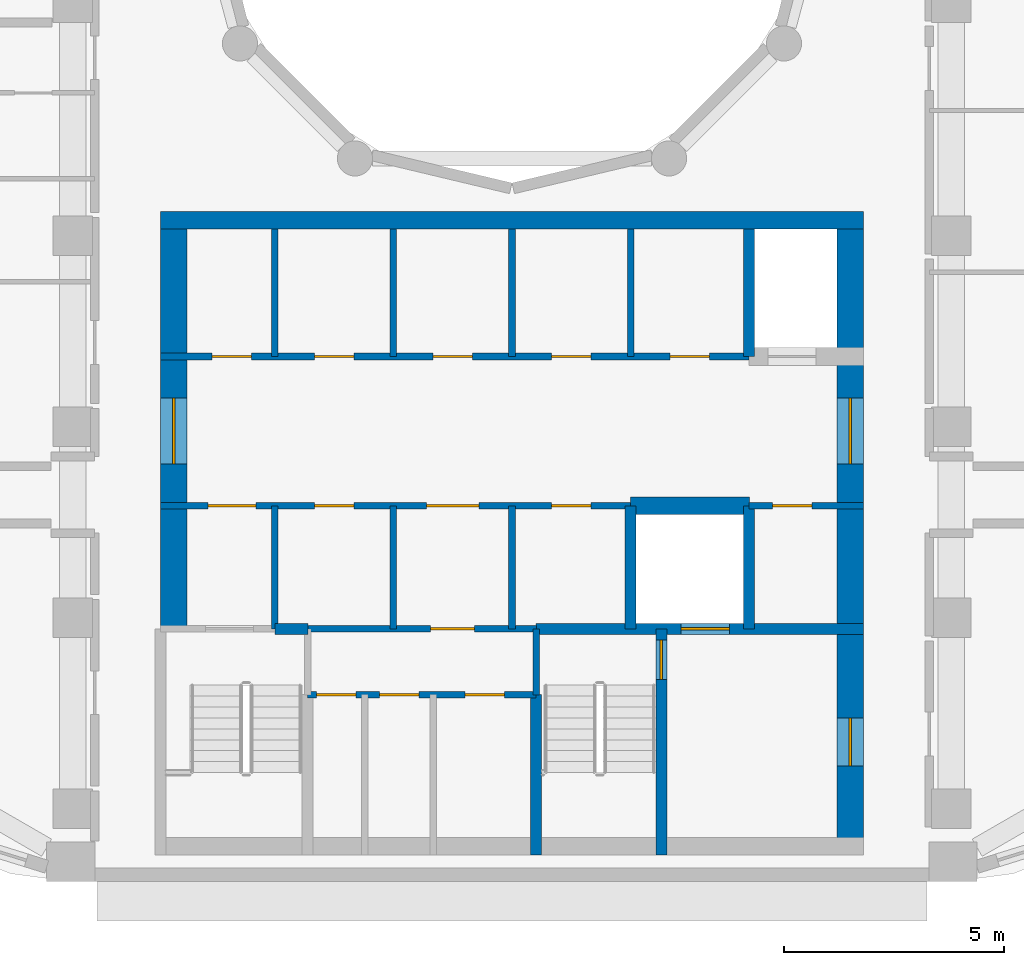
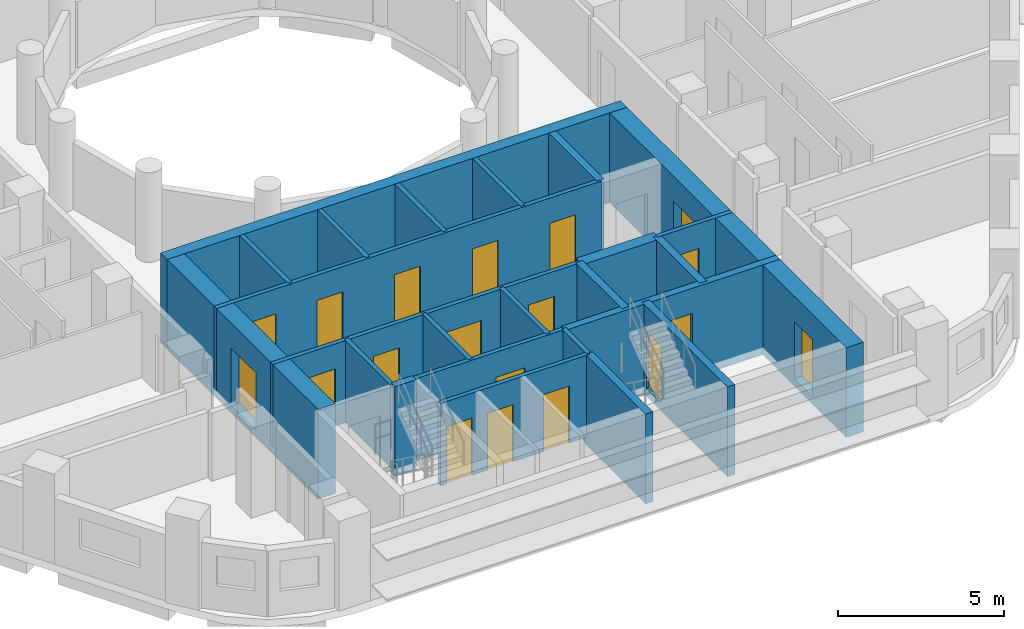
# One storey, part 3 of 13: 24 walls, 19 doors, 19 openings.
"""IFC4 building model written with IfcOpenShell, lengths in metres."""

from ifc_helpers import new_model, si_unit, direction, frame, frame_2d, origin, place, context, subcontext, project, spatial, rectangle, extrude, material, layer, layer_set, type_object, element, fill, save


model = new_model("IFC4")

# Units and contexts
model_context = context("Model", 3, precision=1e-05, world=origin(), true_north=direction((0.0, 1.0)))
body_context = subcontext(model_context, "Body", "Model", "MODEL_VIEW")
ifc_project = project(units=[si_unit("LENGTHUNIT", "METRE"), si_unit("AREAUNIT", "SQUARE_METRE"), si_unit("VOLUMEUNIT", "CUBIC_METRE"), si_unit("PLANEANGLEUNIT", "RADIAN"), si_unit("MASSUNIT", "GRAM", prefix="KILO")], contexts=[model_context])

# Site, building, storey
site_placement = place(None, origin())
site = spatial("IfcSite", under=ifc_project, at=site_placement, CompositionType="ELEMENT")
building_placement = place(site_placement, origin())
building = spatial("IfcBuilding", under=site, at=building_placement, Name="Nakaniwa Court", CompositionType="ELEMENT")
storey_placement = place(building_placement, frame((0.0, 0.0, 246.0)))
storey = spatial("IfcBuildingStorey", under=building, at=storey_placement, Name="L64", CompositionType="ELEMENT", Elevation=246.0)

# Walls
ifc_material_1 = material(Name="Blockwork partition", Category="masonry")
ifc_layer_1 = layer(ifc_material_1, 0.14990234375)
ifc_layer_set_1 = layer_set([ifc_layer_1], Name="Blockwork partition")
wall_type_1 = type_object("IfcWallType", Name="Blockwork partition 150", PredefinedType="PARTITIONING", material=ifc_layer_set_1)
wall_1_placement = place(storey_placement, frame((74.60009765625, 63.10009765625, 0.0), z_axis=(0.0, 0.0, 1.0), x_axis=(0.0, 1.0, 0.0)))
element("IfcWall", 1, at=wall_1_placement, inside=storey, type_object=wall_type_1, Name="Partition PW-031", PredefinedType="PARTITIONING", context=body_context, shape_type="SweptSolid", body=[
    extrude(rectangle(XDim=2.7998046875, YDim=0.14990234375, at=frame_2d((1.39990234375, 0.0))), origin(), (0.0, 0.0, 1.0), 3.02490234375),
])
wall_2_placement = place(storey_placement, frame((74.60009765625, 69.300048828125, 0.0), z_axis=(0.0, 0.0, 1.0), x_axis=(0.0, 1.0, 0.0)))
element("IfcWall", 2, at=wall_2_placement, inside=storey, type_object=wall_type_1, Name="Partition PW-032", PredefinedType="PARTITIONING", context=body_context, shape_type="SweptSolid", body=[
    extrude(rectangle(XDim=2.89990234375, YDim=0.14990234375, at=frame_2d((1.449951171875, 0.0))), origin(), (0.0, 0.0, 1.0), 3.02490234375),
])

# Wall, openings, doors
wall_3_placement = place(storey_placement, frame((72.0, 69.300048828125, 0.0), z_axis=(0.0, 0.0, 1.0), x_axis=(1.0, 0.0, 0.0)))
wall_3 = element("IfcWall", 3, at=wall_3_placement, inside=storey, type_object=wall_type_1, Name="Partition PW-033", PredefinedType="PARTITIONING", context=body_context, shape_type="SweptSolid", body=[
    extrude(rectangle(XDim=13.39990234375, YDim=0.14990234375, at=frame_2d((6.699951171875, 0.0))), origin(), (0.0, 0.0, 1.0), 3.02490234375),
])
opening_1_placement = place(wall_3_placement, frame((1.175048828125, 0.0, 0.0)))
opening_1 = element("IfcOpeningElement", 4, at=opening_1_placement, cuts=wall_3, Name="Opening D-05-12", PredefinedType="OPENING", context=body_context, shape_type="SweptSolid", body=[
    extrude(rectangle(XDim=0.89990234375, YDim=2.10009765625, at=frame_2d((0.449951171875, 1.050048828125))), frame((0.0, 0.0849609375, 0.0), z_axis=(0.0, -1.0, 0.0), x_axis=(1.0, 0.0, 0.0)), (0.0, 0.0, 1.0), 0.169921875),
])
opening_2_placement = place(wall_3_placement, frame((3.5, 0.0, 0.0)))
opening_2 = element("IfcOpeningElement", 5, at=opening_2_placement, cuts=wall_3, Name="Opening D-05-13", PredefinedType="OPENING", context=body_context, shape_type="SweptSolid", body=[
    extrude(rectangle(XDim=0.89990234375, YDim=2.10009765625, at=frame_2d((0.449951171875, 1.050048828125))), frame((0.0, 0.0849609375, 0.0), z_axis=(0.0, -1.0, 0.0), x_axis=(1.0, 0.0, 0.0)), (0.0, 0.0, 1.0), 0.169921875),
])
opening_3_placement = place(wall_3_placement, frame((6.199951171875, 0.0, 0.0)))
opening_3 = element("IfcOpeningElement", 6, at=opening_3_placement, cuts=wall_3, Name="Opening D-05-14", PredefinedType="OPENING", context=body_context, shape_type="SweptSolid", body=[
    extrude(rectangle(XDim=0.89990234375, YDim=2.10009765625, at=frame_2d((0.449951171875, 1.050048828125))), frame((0.0, 0.0849609375, 0.0), z_axis=(0.0, -1.0, 0.0), x_axis=(1.0, 0.0, 0.0)), (0.0, 0.0, 1.0), 0.169921875),
])
opening_4_placement = place(wall_3_placement, frame((8.89990234375, 0.0, 0.0)))
opening_4 = element("IfcOpeningElement", 7, at=opening_4_placement, cuts=wall_3, Name="Opening D-05-15", PredefinedType="OPENING", context=body_context, shape_type="SweptSolid", body=[
    extrude(rectangle(XDim=0.89990234375, YDim=2.10009765625, at=frame_2d((0.449951171875, 1.050048828125))), frame((0.0, 0.0849609375, 0.0), z_axis=(0.0, -1.0, 0.0), x_axis=(1.0, 0.0, 0.0)), (0.0, 0.0, 1.0), 0.169921875),
])
opening_5_placement = place(wall_3_placement, frame((11.60009765625, 0.0, 0.0)))
opening_5 = element("IfcOpeningElement", 8, at=opening_5_placement, cuts=wall_3, Name="Opening D-05-16", PredefinedType="OPENING", context=body_context, shape_type="SweptSolid", body=[
    extrude(rectangle(XDim=0.89990234375, YDim=2.10009765625, at=frame_2d((0.449951171875, 1.050048828125))), frame((0.0, 0.0849609375, 0.0), z_axis=(0.0, -1.0, 0.0), x_axis=(1.0, 0.0, 0.0)), (0.0, 0.0, 1.0), 0.169921875),
])
ifc_material_2 = material(Name="Fire rated steel door set", Category="steel")
door_type_1 = type_object("IfcDoorType", Name="Service room door 900", OperationType="NOTDEFINED", PredefinedType="DOOR", material=ifc_material_2)
door_1_placement = place(opening_1_placement, origin())
door_1 = element("IfcDoor", 9, at=door_1_placement, inside=storey, type_object=door_type_1, Name="Door D-05-12 L64-017", OperationType="SINGLE_SWING_RIGHT", OverallHeight=2.10009765625, OverallWidth=0.89990234375, PredefinedType="DOOR", context=body_context, shape_type="SweptSolid", body=[
    extrude(rectangle(XDim=0.89990234375, YDim=2.10009765625, at=frame_2d((0.449951171875, 1.050048828125))), frame((0.0, 0.02490234375, 0.0), z_axis=(0.0, -1.0, 0.0), x_axis=(1.0, 0.0, 0.0)), (0.0, 0.0, 1.0), 0.050048828125),
])
fill(opening_1, door_1)
door_2_placement = place(opening_2_placement, origin())
door_2 = element("IfcDoor", 10, at=door_2_placement, inside=storey, type_object=door_type_1, Name="Door D-05-13 L64-018", OperationType="SINGLE_SWING_LEFT", OverallHeight=2.10009765625, OverallWidth=0.89990234375, PredefinedType="DOOR", context=body_context, shape_type="SweptSolid", body=[
    extrude(rectangle(XDim=0.89990234375, YDim=2.10009765625, at=frame_2d((0.449951171875, 1.050048828125))), frame((0.0, 0.02490234375, 0.0), z_axis=(0.0, -1.0, 0.0), x_axis=(1.0, 0.0, 0.0)), (0.0, 0.0, 1.0), 0.050048828125),
])
fill(opening_2, door_2)
door_3_placement = place(opening_3_placement, origin())
door_3 = element("IfcDoor", 11, at=door_3_placement, inside=storey, type_object=door_type_1, Name="Door D-05-14 L64-019", OperationType="SINGLE_SWING_RIGHT", OverallHeight=2.10009765625, OverallWidth=0.89990234375, PredefinedType="DOOR", context=body_context, shape_type="SweptSolid", body=[
    extrude(rectangle(XDim=0.89990234375, YDim=2.10009765625, at=frame_2d((0.449951171875, 1.050048828125))), frame((0.0, 0.02490234375, 0.0), z_axis=(0.0, -1.0, 0.0), x_axis=(1.0, 0.0, 0.0)), (0.0, 0.0, 1.0), 0.050048828125),
])
fill(opening_3, door_3)
door_4_placement = place(opening_4_placement, origin())
door_4 = element("IfcDoor", 12, at=door_4_placement, inside=storey, type_object=door_type_1, Name="Door D-05-15 L64-020", OperationType="SINGLE_SWING_LEFT", OverallHeight=2.10009765625, OverallWidth=0.89990234375, PredefinedType="DOOR", context=body_context, shape_type="SweptSolid", body=[
    extrude(rectangle(XDim=0.89990234375, YDim=2.10009765625, at=frame_2d((0.449951171875, 1.050048828125))), frame((0.0, 0.02490234375, 0.0), z_axis=(0.0, -1.0, 0.0), x_axis=(1.0, 0.0, 0.0)), (0.0, 0.0, 1.0), 0.050048828125),
])
fill(opening_4, door_4)
door_5_placement = place(opening_5_placement, origin())
door_5 = element("IfcDoor", 13, at=door_5_placement, inside=storey, type_object=door_type_1, Name="Door D-05-16 L64-021", OperationType="SINGLE_SWING_RIGHT", OverallHeight=2.10009765625, OverallWidth=0.89990234375, PredefinedType="DOOR", context=body_context, shape_type="SweptSolid", body=[
    extrude(rectangle(XDim=0.89990234375, YDim=2.10009765625, at=frame_2d((0.449951171875, 1.050048828125))), frame((0.0, 0.02490234375, 0.0), z_axis=(0.0, -1.0, 0.0), x_axis=(1.0, 0.0, 0.0)), (0.0, 0.0, 1.0), 0.050048828125),
])
fill(opening_5, door_5)

# Walls
wall_4_placement = place(storey_placement, frame((77.300048828125, 63.10009765625, 0.0), z_axis=(0.0, 0.0, 1.0), x_axis=(0.0, 1.0, 0.0)))
element("IfcWall", 14, at=wall_4_placement, inside=storey, type_object=wall_type_1, Name="Partition PW-039", PredefinedType="PARTITIONING", context=body_context, shape_type="SweptSolid", body=[
    extrude(rectangle(XDim=2.7998046875, YDim=0.14990234375, at=frame_2d((1.39990234375, 0.0))), origin(), (0.0, 0.0, 1.0), 3.02490234375),
])
wall_5_placement = place(storey_placement, frame((77.300048828125, 69.300048828125, 0.0), z_axis=(0.0, 0.0, 1.0), x_axis=(0.0, 1.0, 0.0)))
element("IfcWall", 15, at=wall_5_placement, inside=storey, type_object=wall_type_1, Name="Partition PW-040", PredefinedType="PARTITIONING", context=body_context, shape_type="SweptSolid", body=[
    extrude(rectangle(XDim=2.89990234375, YDim=0.14990234375, at=frame_2d((1.449951171875, 0.0))), origin(), (0.0, 0.0, 1.0), 3.02490234375),
])
wall_6_placement = place(storey_placement, frame((80.0, 63.10009765625, 0.0), z_axis=(0.0, 0.0, 1.0), x_axis=(0.0, 1.0, 0.0)))
element("IfcWall", 16, at=wall_6_placement, inside=storey, type_object=wall_type_1, Name="Partition PW-041", PredefinedType="PARTITIONING", context=body_context, shape_type="SweptSolid", body=[
    extrude(rectangle(XDim=2.7998046875, YDim=0.14990234375, at=frame_2d((1.39990234375, 0.0))), origin(), (0.0, 0.0, 1.0), 3.02490234375),
])
for number, where, z_axis, x_axis, name in (
    (17, (80.0, 69.300048828125, 0.0), (0.0, 0.0, 1.0), (0.0, 1.0, 0.0), "Partition PW-042"),
    (18, (82.699951171875, 69.300048828125, 0.0), (0.0, 0.0, 1.0), (0.0, 1.0, 0.0), "Partition PW-043"),
):
    element("IfcWall", number, at=place(storey_placement, frame(where, z_axis=z_axis, x_axis=x_axis)), inside=storey, type_object=wall_type_1, Name=name, PredefinedType="PARTITIONING", context=body_context, shape_type="SweptSolid", body=[
        extrude(rectangle(XDim=2.89990234375, YDim=0.14990234375, at=frame_2d((1.449951171875, 0.0))), origin(), (0.0, 0.0, 1.0), 3.02490234375),
    ])

# Wall, openings, doors
wall_7_placement = place(storey_placement, frame((82.702880859375, 65.89990234375, 0.0), z_axis=(0.0, 0.0, 1.0), x_axis=(-1.0, 0.0, 0.0)))
wall_7 = element("IfcWall", 19, at=wall_7_placement, inside=storey, type_object=wall_type_1, Name="Partition PW-044", PredefinedType="PARTITIONING", context=body_context, shape_type="SweptSolid", body=[
    extrude(rectangle(XDim=10.702880859375, YDim=0.14990234375, at=frame_2d((5.3515625, 0.0))), origin(), (0.0, 0.0, 1.0), 3.02490234375),
])
opening_6_placement = place(wall_7_placement, frame((8.528076171875, 0.0, 0.0)))
opening_6 = element("IfcOpeningElement", 20, at=opening_6_placement, cuts=wall_7, Name="Opening D-08-02", PredefinedType="OPENING", context=body_context, shape_type="SweptSolid", body=[
    extrude(rectangle(XDim=1.10009765625, YDim=2.10009765625, at=frame_2d((0.550048828125, 1.050048828125))), frame((0.0, 0.0849609375, 0.0), z_axis=(0.0, -1.0, 0.0), x_axis=(1.0, 0.0, 0.0)), (0.0, 0.0, 1.0), 0.169921875),
])
opening_7_placement = place(wall_7_placement, frame((6.302978515625, 0.0, 0.0)))
opening_7 = element("IfcOpeningElement", 21, at=opening_7_placement, cuts=wall_7, Name="Opening D-05-17", PredefinedType="OPENING", context=body_context, shape_type="SweptSolid", body=[
    extrude(rectangle(XDim=0.89990234375, YDim=2.10009765625, at=frame_2d((0.449951171875, 1.050048828125))), frame((0.0, 0.0849609375, 0.0), z_axis=(0.0, -1.0, 0.0), x_axis=(1.0, 0.0, 0.0)), (0.0, 0.0, 1.0), 0.169921875),
])
opening_8_placement = place(wall_7_placement, frame((3.452880859375, 0.0, 0.0)))
opening_8 = element("IfcOpeningElement", 22, at=opening_8_placement, cuts=wall_7, Name="Opening D-06-02", PredefinedType="OPENING", context=body_context, shape_type="SweptSolid", body=[
    extrude(rectangle(XDim=1.199951171875, YDim=2.10009765625, at=frame_2d((0.60009765625, 1.050048828125))), frame((0.0, 0.0849609375, 0.0), z_axis=(0.0, -1.0, 0.0), x_axis=(1.0, 0.0, 0.0)), (0.0, 0.0, 1.0), 0.169921875),
])
opening_9_placement = place(wall_7_placement, frame((0.903076171875, 0.0, 0.0)))
opening_9 = element("IfcOpeningElement", 23, at=opening_9_placement, cuts=wall_7, Name="Opening D-05-18", PredefinedType="OPENING", context=body_context, shape_type="SweptSolid", body=[
    extrude(rectangle(XDim=0.89990234375, YDim=2.10009765625, at=frame_2d((0.449951171875, 1.050048828125))), frame((0.0, 0.0849609375, 0.0), z_axis=(0.0, -1.0, 0.0), x_axis=(1.0, 0.0, 0.0)), (0.0, 0.0, 1.0), 0.169921875),
])
ifc_material_3 = material(Name="Fire rated steel double door set", Category="steel")
door_type_2 = type_object("IfcDoorType", Name="Service passage double door 1200", OperationType="NOTDEFINED", PredefinedType="DOOR", material=ifc_material_3)
door_6_placement = place(opening_8_placement, origin())
door_6 = element("IfcDoor", 24, at=door_6_placement, inside=storey, type_object=door_type_2, Name="Door D-06-02 L64-024", OperationType="DOUBLE_DOOR_SINGLE_SWING", OverallHeight=2.10009765625, OverallWidth=1.199951171875, PredefinedType="DOOR", context=body_context, shape_type="SweptSolid", body=[
    extrude(rectangle(XDim=1.199951171875, YDim=2.10009765625, at=frame_2d((0.60009765625, 1.050048828125))), frame((0.0, 0.02490234375, 0.0), z_axis=(0.0, -1.0, 0.0), x_axis=(1.0, 0.0, 0.0)), (0.0, 0.0, 1.0), 0.050048828125),
])
fill(opening_8, door_6)
door_7_placement = place(opening_7_placement, origin())
door_7 = element("IfcDoor", 25, at=door_7_placement, inside=storey, type_object=door_type_1, Name="Door D-05-17 L64-023", OperationType="SINGLE_SWING_RIGHT", OverallHeight=2.10009765625, OverallWidth=0.89990234375, PredefinedType="DOOR", context=body_context, shape_type="SweptSolid", body=[
    extrude(rectangle(XDim=0.89990234375, YDim=2.10009765625, at=frame_2d((0.449951171875, 1.050048828125))), frame((0.0, 0.02490234375, 0.0), z_axis=(0.0, -1.0, 0.0), x_axis=(1.0, 0.0, 0.0)), (0.0, 0.0, 1.0), 0.050048828125),
])
fill(opening_7, door_7)
door_8_placement = place(opening_9_placement, origin())
door_8 = element("IfcDoor", 26, at=door_8_placement, inside=storey, type_object=door_type_1, Name="Door D-05-18 L64-025", OperationType="SINGLE_SWING_RIGHT", OverallHeight=2.10009765625, OverallWidth=0.89990234375, PredefinedType="DOOR", context=body_context, shape_type="SweptSolid", body=[
    extrude(rectangle(XDim=0.89990234375, YDim=2.10009765625, at=frame_2d((0.449951171875, 1.050048828125))), frame((0.0, 0.02490234375, 0.0), z_axis=(0.0, -1.0, 0.0), x_axis=(1.0, 0.0, 0.0)), (0.0, 0.0, 1.0), 0.050048828125),
])
fill(opening_9, door_8)
door_type_3 = type_object("IfcDoorType", Name="Stair lobby door 1100", OperationType="NOTDEFINED", PredefinedType="DOOR", material=ifc_material_2)
door_9_placement = place(opening_6_placement, origin())
door_9 = element("IfcDoor", 27, at=door_9_placement, inside=storey, type_object=door_type_3, Name="Door D-08-02 L64-022", OperationType="SINGLE_SWING_LEFT", OverallHeight=2.10009765625, OverallWidth=1.10009765625, PredefinedType="DOOR", context=body_context, shape_type="SweptSolid", body=[
    extrude(rectangle(XDim=1.10009765625, YDim=2.10009765625, at=frame_2d((0.550048828125, 1.050048828125))), frame((0.0, 0.02490234375, 0.0), z_axis=(0.0, -1.0, 0.0), x_axis=(1.0, 0.0, 0.0)), (0.0, 0.0, 1.0), 0.050048828125),
])
fill(opening_6, door_9)

# Wall, opening, door
wall_8_placement = place(storey_placement, frame((88.0, 65.89990234375, 0.0), z_axis=(0.0, 0.0, 1.0), x_axis=(-1.0, 0.0, 0.0)))
wall_8 = element("IfcWall", 28, at=wall_8_placement, inside=storey, type_object=wall_type_1, Name="Partition PW-045", PredefinedType="PARTITIONING", context=body_context, shape_type="SweptSolid", body=[
    extrude(rectangle(XDim=2.60302734375, YDim=0.14990234375, at=frame_2d((1.301513671875, 0.0))), origin(), (0.0, 0.0, 1.0), 3.02490234375),
])
opening_10_placement = place(wall_8_placement, frame((1.175048828125, 0.0, 0.0)))
opening_10 = element("IfcOpeningElement", 29, at=opening_10_placement, cuts=wall_8, Name="Opening D-05-19", PredefinedType="OPENING", context=body_context, shape_type="SweptSolid", body=[
    extrude(rectangle(XDim=0.89990234375, YDim=2.10009765625, at=frame_2d((0.449951171875, 1.050048828125))), frame((0.0, 0.0849609375, 0.0), z_axis=(0.0, -1.0, 0.0), x_axis=(1.0, 0.0, 0.0)), (0.0, 0.0, 1.0), 0.169921875),
])
door_10_placement = place(opening_10_placement, origin())
door_10 = element("IfcDoor", 30, at=door_10_placement, inside=storey, type_object=door_type_1, Name="Door D-05-19 L64-026", OperationType="SINGLE_SWING_LEFT", OverallHeight=2.10009765625, OverallWidth=0.89990234375, PredefinedType="DOOR", context=body_context, shape_type="SweptSolid", body=[
    extrude(rectangle(XDim=0.89990234375, YDim=2.10009765625, at=frame_2d((0.449951171875, 1.050048828125))), frame((0.0, 0.02490234375, 0.0), z_axis=(0.0, -1.0, 0.0), x_axis=(1.0, 0.0, 0.0)), (0.0, 0.0, 1.0), 0.050048828125),
])
fill(opening_10, door_10)

wall_9_placement = place(storey_placement, frame((80.552978515625, 63.10009765625, 0.0), z_axis=(0.0, 0.0, 1.0), x_axis=(-1.0, 0.0, 0.0)))
wall_9 = element("IfcWall", 31, at=wall_9_placement, inside=storey, type_object=wall_type_1, Name="Partition PW-050", PredefinedType="PARTITIONING", context=body_context, shape_type="SweptSolid", body=[
    extrude(rectangle(XDim=5.2060546875, YDim=0.14990234375, at=frame_2d((2.60302734375, 0.0))), origin(), (0.0, 0.0, 1.0), 3.02490234375),
])
opening_11_placement = place(wall_9_placement, frame((1.403076171875, 0.0, 0.0)))
opening_11 = element("IfcOpeningElement", 32, at=opening_11_placement, cuts=wall_9, Name="Opening D-23-02", PredefinedType="OPENING", context=body_context, shape_type="SweptSolid", body=[
    extrude(rectangle(XDim=1.0, YDim=2.10009765625, at=frame_2d((0.5, 1.050048828125))), frame((0.0, 0.0849609375, 0.0), z_axis=(0.0, -1.0, 0.0), x_axis=(1.0, 0.0, 0.0)), (0.0, 0.0, 1.0), 0.169921875),
])
door_type_4 = type_object("IfcDoorType", Name="Service room door 1000", OperationType="NOTDEFINED", PredefinedType="DOOR", material=ifc_material_2)
door_11_placement = place(opening_11_placement, origin())
door_11 = element("IfcDoor", 33, at=door_11_placement, inside=storey, type_object=door_type_4, Name="Door D-23-02 L64-027", OperationType="SINGLE_SWING_RIGHT", OverallHeight=2.10009765625, OverallWidth=1.0, PredefinedType="DOOR", context=body_context, shape_type="SweptSolid", body=[
    extrude(rectangle(XDim=1.0, YDim=2.10009765625, at=frame_2d((0.5, 1.050048828125))), frame((0.0, 0.02490234375, 0.0), z_axis=(0.0, -1.0, 0.0), x_axis=(1.0, 0.0, 0.0)), (0.0, 0.0, 1.0), 0.050048828125),
])
fill(opening_11, door_11)

# Wall, openings, doors
wall_10_placement = place(storey_placement, frame((80.550048828125, 61.60009765625, 0.0), z_axis=(0.0, 0.0, 1.0), x_axis=(-1.0, 0.0, 0.0)))
wall_10 = element("IfcWall", 34, at=wall_10_placement, inside=storey, type_object=wall_type_1, Name="Partition PW-058", PredefinedType="PARTITIONING", context=body_context, shape_type="SweptSolid", body=[
    extrude(rectangle(XDim=5.199951171875, YDim=0.14990234375, at=frame_2d((2.60009765625, 0.0))), origin(), (0.0, 0.0, 1.0), 3.02490234375),
])
opening_12_placement = place(wall_10_placement, frame((4.10009765625, 0.0, 0.0)))
opening_12 = element("IfcOpeningElement", 35, at=opening_12_placement, cuts=wall_10, Name="Opening D-05-20", PredefinedType="OPENING", context=body_context, shape_type="SweptSolid", body=[
    extrude(rectangle(XDim=0.89990234375, YDim=2.10009765625, at=frame_2d((0.449951171875, 1.050048828125))), frame((0.0, 0.0849609375, 0.0), z_axis=(0.0, -1.0, 0.0), x_axis=(1.0, 0.0, 0.0)), (0.0, 0.0, 1.0), 0.169921875),
])
opening_13_placement = place(wall_10_placement, frame((2.669921875, 0.0, 0.0)))
opening_13 = element("IfcOpeningElement", 36, at=opening_13_placement, cuts=wall_10, Name="Opening D-05-21", PredefinedType="OPENING", context=body_context, shape_type="SweptSolid", body=[
    extrude(rectangle(XDim=0.89990234375, YDim=2.10009765625, at=frame_2d((0.449951171875, 1.050048828125))), frame((0.0, 0.0849609375, 0.0), z_axis=(0.0, -1.0, 0.0), x_axis=(1.0, 0.0, 0.0)), (0.0, 0.0, 1.0), 0.169921875),
])
opening_14_placement = place(wall_10_placement, frame((0.719970703125, 0.0, 0.0)))
opening_14 = element("IfcOpeningElement", 37, at=opening_14_placement, cuts=wall_10, Name="Opening D-05-22", PredefinedType="OPENING", context=body_context, shape_type="SweptSolid", body=[
    extrude(rectangle(XDim=0.89990234375, YDim=2.10009765625, at=frame_2d((0.449951171875, 1.050048828125))), frame((0.0, 0.0849609375, 0.0), z_axis=(0.0, -1.0, 0.0), x_axis=(1.0, 0.0, 0.0)), (0.0, 0.0, 1.0), 0.169921875),
])
door_12_placement = place(opening_12_placement, origin())
door_12 = element("IfcDoor", 38, at=door_12_placement, inside=storey, type_object=door_type_1, Name="Door D-05-20 L64-028", OperationType="SINGLE_SWING_LEFT", OverallHeight=2.10009765625, OverallWidth=0.89990234375, PredefinedType="DOOR", context=body_context, shape_type="SweptSolid", body=[
    extrude(rectangle(XDim=0.89990234375, YDim=2.10009765625, at=frame_2d((0.449951171875, 1.050048828125))), frame((0.0, 0.02490234375, 0.0), z_axis=(0.0, -1.0, 0.0), x_axis=(1.0, 0.0, 0.0)), (0.0, 0.0, 1.0), 0.050048828125),
])
fill(opening_12, door_12)
door_13_placement = place(opening_13_placement, origin())
door_13 = element("IfcDoor", 39, at=door_13_placement, inside=storey, type_object=door_type_1, Name="Door D-05-21 L64-029", OperationType="SINGLE_SWING_RIGHT", OverallHeight=2.10009765625, OverallWidth=0.89990234375, PredefinedType="DOOR", context=body_context, shape_type="SweptSolid", body=[
    extrude(rectangle(XDim=0.89990234375, YDim=2.10009765625, at=frame_2d((0.449951171875, 1.050048828125))), frame((0.0, 0.02490234375, 0.0), z_axis=(0.0, -1.0, 0.0), x_axis=(1.0, 0.0, 0.0)), (0.0, 0.0, 1.0), 0.050048828125),
])
fill(opening_13, door_13)
door_14_placement = place(opening_14_placement, origin())
door_14 = element("IfcDoor", 40, at=door_14_placement, inside=storey, type_object=door_type_1, Name="Door D-05-22 L64-030", OperationType="SINGLE_SWING_LEFT", OverallHeight=2.10009765625, OverallWidth=0.89990234375, PredefinedType="DOOR", context=body_context, shape_type="SweptSolid", body=[
    extrude(rectangle(XDim=0.89990234375, YDim=2.10009765625, at=frame_2d((0.449951171875, 1.050048828125))), frame((0.0, 0.02490234375, 0.0), z_axis=(0.0, -1.0, 0.0), x_axis=(1.0, 0.0, 0.0)), (0.0, 0.0, 1.0), 0.050048828125),
])
fill(opening_14, door_14)

# Wall, opening, door
ifc_material_4 = material(Name="Concrete C80/100", Category="concrete")
ifc_layer_2 = layer(ifc_material_4, 0.60009765625)
ifc_layer_set_2 = layer_set([ifc_layer_2], Name="Concrete C80/100")
wall_type_2 = type_object("IfcWallType", Name="Concrete core side wall 600 C80", PredefinedType="SHEAR", material=ifc_layer_set_2)
wall_11_placement = place(storey_placement, frame((72.300048828125, 63.10009765625, -0.27490234375), z_axis=(0.0, 0.0, 1.0), x_axis=(0.0, 1.0, 0.0)))
wall_11 = element("IfcWall", 41, at=wall_11_placement, inside=storey, type_object=wall_type_2, Name="Core wall SW-34", PredefinedType="SHEAR", context=body_context, shape_type="SweptSolid", body=[
    extrude(rectangle(XDim=9.099853515625, YDim=0.60009765625, at=frame_2d((4.5498046875, 0.0))), origin(), (0.0, 0.0, 1.0), 3.2998046875),
])
opening_15_placement = place(wall_11_placement, frame((3.75, 0.0, 0.27490234375)))
opening_15 = element("IfcOpeningElement", 42, at=opening_15_placement, cuts=wall_11, Name="Opening D-07-04", PredefinedType="OPENING", context=body_context, shape_type="SweptSolid", body=[
    extrude(rectangle(XDim=1.5, YDim=2.10009765625, at=frame_2d((0.75, 1.050048828125))), frame((0.0, 0.31005859375, 0.0), z_axis=(0.0, -1.0, 0.0), x_axis=(1.0, 0.0, 0.0)), (0.0, 0.0, 1.0), 0.6201171875),
])
ifc_material_5 = material(Name="Glazed fire rated steel double door set", Category="steel")
door_type_5 = type_object("IfcDoorType", Name="Lobby double door 1500", OperationType="NOTDEFINED", PredefinedType="DOOR", material=ifc_material_5)
door_15_placement = place(opening_15_placement, origin())
door_15 = element("IfcDoor", 43, at=door_15_placement, inside=storey, type_object=door_type_5, Name="Door D-07-04 L64-067", OperationType="DOUBLE_DOOR_SINGLE_SWING", OverallHeight=2.10009765625, OverallWidth=1.5, PredefinedType="DOOR", context=body_context, shape_type="SweptSolid", body=[
    extrude(rectangle(XDim=1.5, YDim=2.10009765625, at=frame_2d((0.75, 1.050048828125))), frame((0.0, 0.02490234375, 0.0), z_axis=(0.0, -1.0, 0.0), x_axis=(1.0, 0.0, 0.0)), (0.0, 0.0, 1.0), 0.050048828125),
])
fill(opening_15, door_15)

# Wall, openings, doors
wall_12_placement = place(storey_placement, frame((87.699951171875, 72.199951171875, -0.27490234375), z_axis=(0.0, 0.0, 1.0), x_axis=(0.0, -1.0, 0.0)))
wall_12 = element("IfcWall", 44, at=wall_12_placement, inside=storey, type_object=wall_type_2, Name="Core wall SW-38", PredefinedType="SHEAR", context=body_context, shape_type="SweptSolid", body=[
    extrude(rectangle(XDim=14.25, YDim=0.60009765625, at=frame_2d((7.125, 0.0))), origin(), (0.0, 0.0, 1.0), 3.2998046875),
])
opening_16_placement = place(wall_12_placement, frame((3.85009765625, 0.0, 0.27490234375)))
opening_16 = element("IfcOpeningElement", 45, at=opening_16_placement, cuts=wall_12, Name="Opening D-07-03", PredefinedType="OPENING", context=body_context, shape_type="SweptSolid", body=[
    extrude(rectangle(XDim=1.5, YDim=2.10009765625, at=frame_2d((0.75, 1.050048828125))), frame((0.0, 0.31005859375, 0.0), z_axis=(0.0, -1.0, 0.0), x_axis=(1.0, 0.0, 0.0)), (0.0, 0.0, 1.0), 0.6201171875),
])
opening_17_placement = place(wall_12_placement, frame((11.125, 0.0, 0.27490234375)))
opening_17 = element("IfcOpeningElement", 46, at=opening_17_placement, cuts=wall_12, Name="Opening D-10-02", PredefinedType="OPENING", context=body_context, shape_type="SweptSolid", body=[
    extrude(rectangle(XDim=1.10009765625, YDim=2.10009765625, at=frame_2d((0.550048828125, 1.050048828125))), frame((0.0, 0.31005859375, 0.0), z_axis=(0.0, -1.0, 0.0), x_axis=(1.0, 0.0, 0.0)), (0.0, 0.0, 1.0), 0.6201171875),
])
door_type_6 = type_object("IfcDoorType", Name="Firefighting lobby door 1100", OperationType="NOTDEFINED", PredefinedType="DOOR", material=ifc_material_2)
door_16_placement = place(opening_17_placement, origin())
door_16 = element("IfcDoor", 47, at=door_16_placement, inside=storey, type_object=door_type_6, Name="Door D-10-02 L64-068", OperationType="SINGLE_SWING_LEFT", OverallHeight=2.10009765625, OverallWidth=1.10009765625, PredefinedType="DOOR", context=body_context, shape_type="SweptSolid", body=[
    extrude(rectangle(XDim=1.10009765625, YDim=2.10009765625, at=frame_2d((0.550048828125, 1.050048828125))), frame((0.0, 0.02490234375, 0.0), z_axis=(0.0, -1.0, 0.0), x_axis=(1.0, 0.0, 0.0)), (0.0, 0.0, 1.0), 0.050048828125),
])
fill(opening_17, door_16)
door_17_placement = place(opening_16_placement, origin())
door_17 = element("IfcDoor", 48, at=door_17_placement, inside=storey, type_object=door_type_5, Name="Door D-07-03 L64-066", OperationType="DOUBLE_DOOR_SINGLE_SWING", OverallHeight=2.10009765625, OverallWidth=1.5, PredefinedType="DOOR", context=body_context, shape_type="SweptSolid", body=[
    extrude(rectangle(XDim=1.5, YDim=2.10009765625, at=frame_2d((0.75, 1.050048828125))), frame((0.0, 0.02490234375, 0.0), z_axis=(0.0, -1.0, 0.0), x_axis=(1.0, 0.0, 0.0)), (0.0, 0.0, 1.0), 0.050048828125),
])
fill(opening_16, door_17)

# Walls
ifc_layer_3 = layer(ifc_material_4, 0.39990234375)
ifc_layer_set_3 = layer_set([ifc_layer_3], Name="Concrete C80/100")
wall_type_3 = type_object("IfcWallType", Name="Concrete core spine wall 400 C80", PredefinedType="SHEAR", material=ifc_layer_set_3)
wall_13_placement = place(storey_placement, frame((82.697021484375, 65.89990234375, -0.27490234375), z_axis=(0.0, 0.0, 1.0), x_axis=(1.0, 0.0, 0.0)))
element("IfcWall", 49, at=wall_13_placement, inside=storey, type_object=wall_type_3, Name="Core wall SW-46", PredefinedType="SHEAR", context=body_context, shape_type="SweptSolid", body=[
    extrude(rectangle(XDim=2.7060546875, YDim=0.39990234375, at=frame_2d((1.35302734375, 0.0))), origin(), (0.0, 0.0, 1.0), 3.2998046875),
])
ifc_layer_4 = layer(ifc_material_4, 0.14990234375)
ifc_layer_set_4 = layer_set([ifc_layer_4], Name="Concrete C80/100")
wall_type_4 = type_object("IfcWallType", Name="Concrete core wall 150 C80", PredefinedType="SHEAR", material=ifc_layer_set_4)
wall_14_placement = place(storey_placement, frame((80.550048828125, 61.596923828125, -0.27490234375), z_axis=(0.0, 0.0, 1.0), x_axis=(0.0, 1.0, 0.0)))
element("IfcWall", 50, at=wall_14_placement, inside=storey, type_object=wall_type_4, Name="Core wall SW-56", PredefinedType="SHEAR", context=body_context, shape_type="SweptSolid", body=[
    extrude(rectangle(XDim=1.503173828125, YDim=0.14990234375, at=frame_2d((0.75146484375, 0.0))), origin(), (0.0, 0.0, 1.0), 3.2998046875),
])
ifc_layer_5 = layer(ifc_material_4, 0.39990234375)
ifc_layer_set_5 = layer_set([ifc_layer_5], Name="Concrete C80/100")
wall_type_5 = type_object("IfcWallType", Name="Concrete core well wall 400 C80", PredefinedType="SHEAR", material=ifc_layer_set_5)
wall_15_placement = place(storey_placement, frame((72.00390625, 72.39990234375, -0.27490234375), z_axis=(0.0, 0.0, 1.0), x_axis=(1.0, 0.0, 0.0)))
element("IfcWall", 51, at=wall_15_placement, inside=storey, type_object=wall_type_5, Name="Core wall SW-132", PredefinedType="SHEAR", context=body_context, shape_type="SweptSolid", body=[
    extrude(rectangle(XDim=15.9921875, YDim=0.39990234375, at=frame_2d((7.99609375, 0.0))), origin(), (0.0, 0.0, 1.0), 3.2998046875),
])
ifc_layer_6 = layer(ifc_material_4, 0.25)
ifc_layer_set_6 = layer_set([ifc_layer_6], Name="Concrete C80/100")
wall_type_6 = type_object("IfcWallType", Name="Concrete shaft wall 250 C80", PredefinedType="SHEAR", material=ifc_layer_set_6)
wall_16_placement = place(storey_placement, frame((85.39990234375, 63.10009765625, -0.27490234375), z_axis=(0.0, 0.0, 1.0), x_axis=(0.0, 1.0, 0.0)))
element("IfcWall", 52, at=wall_16_placement, inside=storey, type_object=wall_type_6, Name="Core wall SW-35", PredefinedType="SHEAR", context=body_context, shape_type="SweptSolid", body=[
    extrude(rectangle(XDim=2.7998046875, YDim=0.25, at=frame_2d((1.39990234375, 0.0))), origin(), (0.0, 0.0, 1.0), 3.2998046875),
])
wall_17_placement = place(storey_placement, frame((85.39990234375, 69.300048828125, -0.27490234375), z_axis=(0.0, 0.0, 1.0), x_axis=(0.0, 1.0, 0.0)))
element("IfcWall", 53, at=wall_17_placement, inside=storey, type_object=wall_type_6, Name="Core wall SW-36", PredefinedType="SHEAR", context=body_context, shape_type="SweptSolid", body=[
    extrude(rectangle(XDim=2.89990234375, YDim=0.25, at=frame_2d((1.449951171875, 0.0))), origin(), (0.0, 0.0, 1.0), 3.2998046875),
])
wall_18_placement = place(storey_placement, frame((74.60009765625, 63.10009765625, -0.27490234375), z_axis=(0.0, 0.0, 1.0), x_axis=(1.0, 0.0, 0.0)))
element("IfcWall", 54, at=wall_18_placement, inside=storey, type_object=wall_type_6, Name="Core wall SW-48", PredefinedType="SHEAR", context=body_context, shape_type="SweptSolid", body=[
    extrude(rectangle(XDim=0.7529296875, YDim=0.25, at=frame_2d((0.37646484375, 0.0))), origin(), (0.0, 0.0, 1.0), 3.2998046875),
])

# Wall, opening, door
wall_19_placement = place(storey_placement, frame((80.547119140625, 63.10009765625, -0.27490234375), z_axis=(0.0, 0.0, 1.0), x_axis=(1.0, 0.0, 0.0)))
wall_19 = element("IfcWall", 55, at=wall_19_placement, inside=storey, type_object=wall_type_6, Name="Core wall SW-49", PredefinedType="SHEAR", context=body_context, shape_type="SweptSolid", body=[
    extrude(rectangle(XDim=7.452880859375, YDim=0.25, at=frame_2d((3.7265625, 0.0))), origin(), (0.0, 0.0, 1.0), 3.2998046875),
])
opening_18_placement = place(wall_19_placement, frame((3.302001953125, 0.0, 0.27490234375)))
opening_18 = element("IfcOpeningElement", 56, at=opening_18_placement, cuts=wall_19, Name="Opening LD04", PredefinedType="OPENING", context=body_context, shape_type="SweptSolid", body=[
    extrude(rectangle(XDim=1.10009765625, YDim=2.10009765625, at=frame_2d((0.550048828125, 1.050048828125))), frame((0.0, 0.135009765625, 0.0), z_axis=(0.0, -1.0, 0.0), x_axis=(1.0, 0.0, 0.0)), (0.0, 0.0, 1.0), 0.27001953125),
])
ifc_material_6 = material(Name="Stainless steel sliding lift landing door", Category="steel")
door_type_7 = type_object("IfcDoorType", Name="Lift landing door 1100", OperationType="NOTDEFINED", PredefinedType="DOOR", material=ifc_material_6)
door_18_placement = place(opening_18_placement, origin())
door_18 = element("IfcDoor", 57, at=door_18_placement, inside=storey, type_object=door_type_7, Name="Lift landing door LD04 L64-004", OperationType="SLIDING_TO_LEFT", OverallHeight=2.10009765625, OverallWidth=1.10009765625, PredefinedType="DOOR", context=body_context, shape_type="SweptSolid", body=[
    extrude(rectangle(XDim=1.10009765625, YDim=2.10009765625, at=frame_2d((0.550048828125, 1.050048828125))), frame((0.0, 0.02490234375, 0.0), z_axis=(0.0, -1.0, 0.0), x_axis=(1.0, 0.0, 0.0)), (0.0, 0.0, 1.0), 0.050048828125),
])
fill(opening_18, door_18)

# Wall
wall_20_placement = place(storey_placement, frame((82.699951171875, 63.10009765625, -0.27490234375), z_axis=(0.0, 0.0, 1.0), x_axis=(0.0, 1.0, 0.0)))
element("IfcWall", 58, at=wall_20_placement, inside=storey, type_object=wall_type_6, Name="Core wall SW-51", PredefinedType="SHEAR", context=body_context, shape_type="SweptSolid", body=[
    extrude(rectangle(XDim=2.7998046875, YDim=0.25, at=frame_2d((1.39990234375, 0.0))), origin(), (0.0, 0.0, 1.0), 3.2998046875),
])

# Wall, opening, door
wall_21_placement = place(storey_placement, frame((83.39990234375, 63.10009765625, -0.27490234375), z_axis=(0.0, 0.0, 1.0), x_axis=(0.0, -1.0, 0.0)))
wall_21 = element("IfcWall", 59, at=wall_21_placement, inside=storey, type_object=wall_type_6, Name="Core wall SW-55", PredefinedType="SHEAR", context=body_context, shape_type="SweptSolid", body=[
    extrude(rectangle(XDim=5.150146484375, YDim=0.25, at=frame_2d((2.5751953125, 0.0))), origin(), (0.0, 0.0, 1.0), 3.2998046875),
])
opening_19_placement = place(wall_21_placement, frame((0.25, 0.0, 0.27490234375)))
opening_19 = element("IfcOpeningElement", 60, at=opening_19_placement, cuts=wall_21, Name="Opening D-11-02", PredefinedType="OPENING", context=body_context, shape_type="SweptSolid", body=[
    extrude(rectangle(XDim=0.89990234375, YDim=2.10009765625, at=frame_2d((0.449951171875, 1.050048828125))), frame((0.0, 0.135009765625, 0.0), z_axis=(0.0, -1.0, 0.0), x_axis=(1.0, 0.0, 0.0)), (0.0, 0.0, 1.0), 0.27001953125),
])
door_type_8 = type_object("IfcDoorType", Name="Stair door 900", OperationType="NOTDEFINED", PredefinedType="DOOR", material=ifc_material_2)
door_19_placement = place(opening_19_placement, origin())
door_19 = element("IfcDoor", 61, at=door_19_placement, inside=storey, type_object=door_type_8, Name="Door D-11-02 L64-032", OperationType="SINGLE_SWING_RIGHT", OverallHeight=2.10009765625, OverallWidth=0.89990234375, PredefinedType="DOOR", context=body_context, shape_type="SweptSolid", body=[
    extrude(rectangle(XDim=0.89990234375, YDim=2.10009765625, at=frame_2d((0.449951171875, 1.050048828125))), frame((0.0, 0.02490234375, 0.0), z_axis=(0.0, -1.0, 0.0), x_axis=(1.0, 0.0, 0.0)), (0.0, 0.0, 1.0), 0.050048828125),
])
fill(opening_19, door_19)

# Wall
wall_22_placement = place(storey_placement, frame((80.550048828125, 57.949951171875, -0.27490234375), z_axis=(0.0, 0.0, 1.0), x_axis=(0.0, 1.0, 0.0)))
element("IfcWall", 62, at=wall_22_placement, inside=storey, type_object=wall_type_6, Name="Core wall SW-57", PredefinedType="SHEAR", context=body_context, shape_type="SweptSolid", body=[
    extrude(rectangle(XDim=3.653076171875, YDim=0.25, at=frame_2d((1.82666015625, 0.0))), origin(), (0.0, 0.0, 1.0), 3.2998046875),
])

save(model, "model.ifc")
